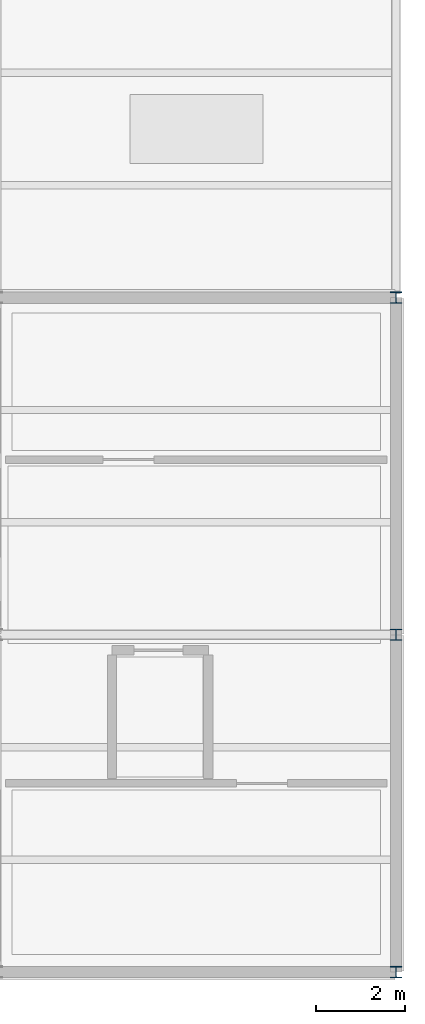
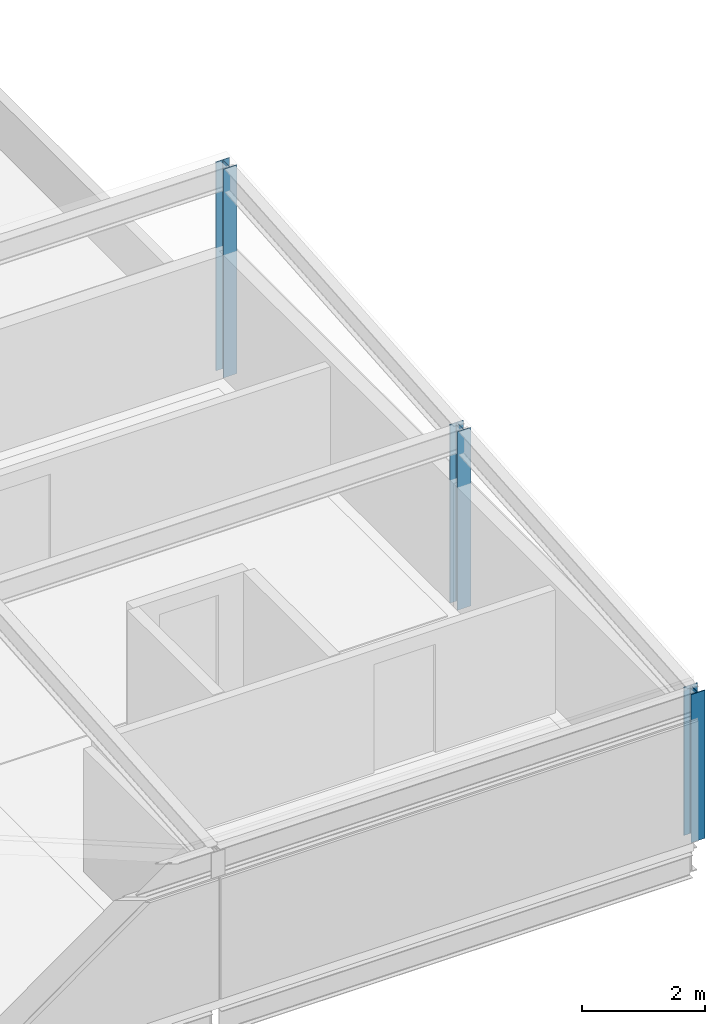
# One storey, part 2 of 21: 3 columns.
"""IFC4 building model written with IfcOpenShell, lengths in metres."""

from ifc_helpers import new_model, si_unit, direction, frame, origin, origin_2d, place, context, subcontext, project, spatial, i_section, extrude, material, material_profile, profile_set, type_object, element, save


model = new_model("IFC4")

# Units and contexts
model_context = context("Model", 3, precision=1e-05, world=origin(), true_north=direction((0.0, 1.0)))
body_context = subcontext(model_context, "Body", "Model", "MODEL_VIEW")
ifc_project = project(units=[si_unit("LENGTHUNIT", "METRE"), si_unit("AREAUNIT", "SQUARE_METRE"), si_unit("VOLUMEUNIT", "CUBIC_METRE"), si_unit("PLANEANGLEUNIT", "RADIAN"), si_unit("MASSUNIT", "GRAM", prefix="KILO")], contexts=[model_context])

# Site, building, storey
site_placement = place(None, origin())
site = spatial("IfcSite", under=ifc_project, at=site_placement, CompositionType="ELEMENT")
building_placement = place(site_placement, origin())
building = spatial("IfcBuilding", under=site, at=building_placement, Name="Caisbarro Railhouse Central Library", CompositionType="ELEMENT")
storey_placement = place(building_placement, frame((0.0, 0.0, 26.639892578125)))
storey = spatial("IfcBuildingStorey", under=building, at=storey_placement, Name="RF", CompositionType="ELEMENT", Elevation=26.639892578125)

# Columns
ifc_material = material(Name="Steel ASTM A572 Grade 50", Category="steel")
ifc_material_profile = material_profile(ifc_material, i_section(OverallWidth=0.25390625, OverallDepth=0.2529296875, WebThickness=0.008544921875, FlangeThickness=0.01416015625, FilletRadius=0.011962890625, at=origin_2d()), Name="W250X73.0")
ifc_profile_set = profile_set([ifc_material_profile], Name="Steel ASTM A572 Grade 50")
column_type = type_object("IfcColumnType", Name="COL-C08", PredefinedType="COLUMN", material=ifc_profile_set)
column_1_placement = place(storey_placement, frame((99.0, 0.0, 0.0), z_axis=(0.0, 0.0, 1.0), x_axis=(1.0, 0.0, 0.0)))
element("IfcColumn", 1, at=column_1_placement, inside=storey, type_object=column_type, Name="C08 column RF (99.0,0.0)", PredefinedType="COLUMN", context=body_context, shape_type="SweptSolid", body=[
    extrude(i_section(OverallWidth=0.25390625, OverallDepth=0.2529296875, WebThickness=0.008544921875, FlangeThickness=0.01416015625, FilletRadius=0.011962890625, at=origin_2d()), origin(), (0.0, 0.0, 1.0), 2.940185546875),
])
column_2_placement = place(storey_placement, frame((99.0, 7.60009765625, 0.0), z_axis=(0.0, 0.0, 1.0), x_axis=(1.0, 0.0, 0.0)))
element("IfcColumn", 2, at=column_2_placement, inside=storey, type_object=column_type, Name="C08 column RF (99.0,7.6)", PredefinedType="COLUMN", context=body_context, shape_type="SweptSolid", body=[
    extrude(i_section(OverallWidth=0.25390625, OverallDepth=0.2529296875, WebThickness=0.008544921875, FlangeThickness=0.01416015625, FilletRadius=0.011962890625, at=origin_2d()), origin(), (0.0, 0.0, 1.0), 3.5400390625),
])
column_3_placement = place(storey_placement, frame((99.0, 15.199951171875, 0.0), z_axis=(0.0, 0.0, 1.0), x_axis=(1.0, 0.0, 0.0)))
element("IfcColumn", 3, at=column_3_placement, inside=storey, type_object=column_type, Name="C08 column RF (99.0,15.2)", PredefinedType="COLUMN", context=body_context, shape_type="SweptSolid", body=[
    extrude(i_section(OverallWidth=0.25390625, OverallDepth=0.2529296875, WebThickness=0.008544921875, FlangeThickness=0.01416015625, FilletRadius=0.011962890625, at=origin_2d()), origin(), (0.0, 0.0, 1.0), 4.14013671875),
])

save(model, "model.ifc")
